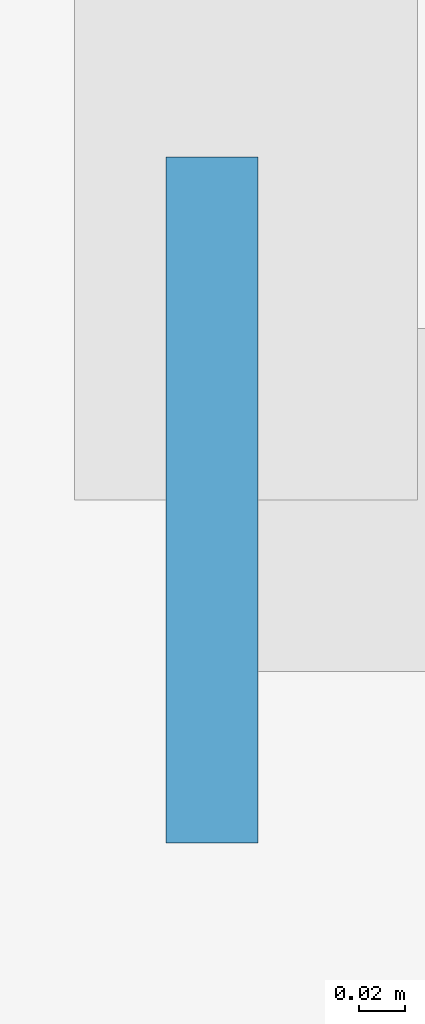
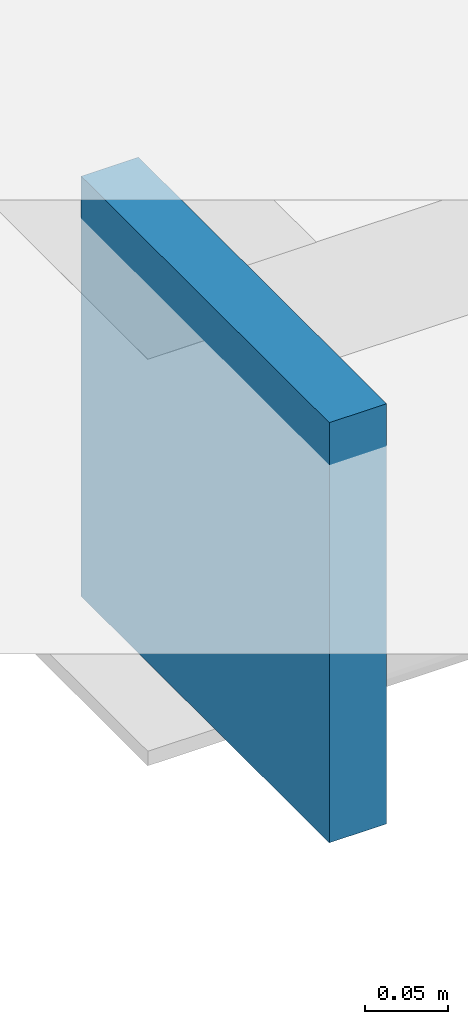
# One storey, part 18 of 28: 1 plate.
"""IFC4 building model written with IfcOpenShell, lengths in metres."""

from ifc_helpers import new_model, si_unit, direction, frame, origin, origin_2d, place, context, subcontext, project, spatial, rectangle, extrude, material, layer, layer_set, type_object, element, save


model = new_model("IFC4")

# Units and contexts
model_context = context("Model", 3, precision=1e-05, world=origin(), true_north=direction((0.0, 1.0)))
body_context = subcontext(model_context, "Body", "Model", "MODEL_VIEW")
ifc_project = project(units=[si_unit("LENGTHUNIT", "METRE"), si_unit("AREAUNIT", "SQUARE_METRE"), si_unit("VOLUMEUNIT", "CUBIC_METRE"), si_unit("PLANEANGLEUNIT", "RADIAN"), si_unit("MASSUNIT", "GRAM", prefix="KILO"), si_unit("THERMODYNAMICTEMPERATUREUNIT", "KELVIN"), si_unit("POWERUNIT", "WATT")], contexts=[model_context])

# Site, building, storey
site_placement = place(None, origin())
site = spatial("IfcSite", under=ifc_project, at=site_placement, CompositionType="ELEMENT")
building_placement = place(site_placement, origin())
building = spatial("IfcBuilding", under=site, at=building_placement, Name="Svarakhadi Broadcast Tower", CompositionType="ELEMENT")
storey_placement = place(building_placement, frame((0.0, 0.0, 169.199951171875)))
storey = spatial("IfcBuildingStorey", under=building, at=storey_placement, Name="L41", CompositionType="ELEMENT", Elevation=169.199951171875)

# Plate
ifc_material = material(Name="Steel S460ML (IS 2062 E450BR)", Category="steel")
ifc_layer = layer(ifc_material, 0.028076171875)
ifc_layer_set = layer_set([ifc_layer], Name="Steel S460ML (IS 2062 E450BR)")
plate_type = type_object("IfcPlateType", Name="Cap_Plate_CP02", PredefinedType="USERDEFINED", material=ifc_layer_set)
plate_placement = place(storey_placement, frame((29.985107421875, -1.800048828125, -0.5048828125), z_axis=(0.0, 0.0, 1.0), x_axis=(1.0, 0.0, 0.0)))
element("IfcPlate", 1, at=plate_placement, inside=storey, type_object=plate_type, Name="L41 Balcony Spandrel End Cap Plate 1F-A", ObjectType="FLANGE_PLATE", PredefinedType="USERDEFINED", context=body_context, shape_type="SweptSolid", body=[
    extrude(rectangle(XDim=0.0400390625, YDim=0.300048828125, at=origin_2d()), origin(), (0.0, 0.0, 1.0), 0.31005859375),
])

save(model, "model.ifc")
